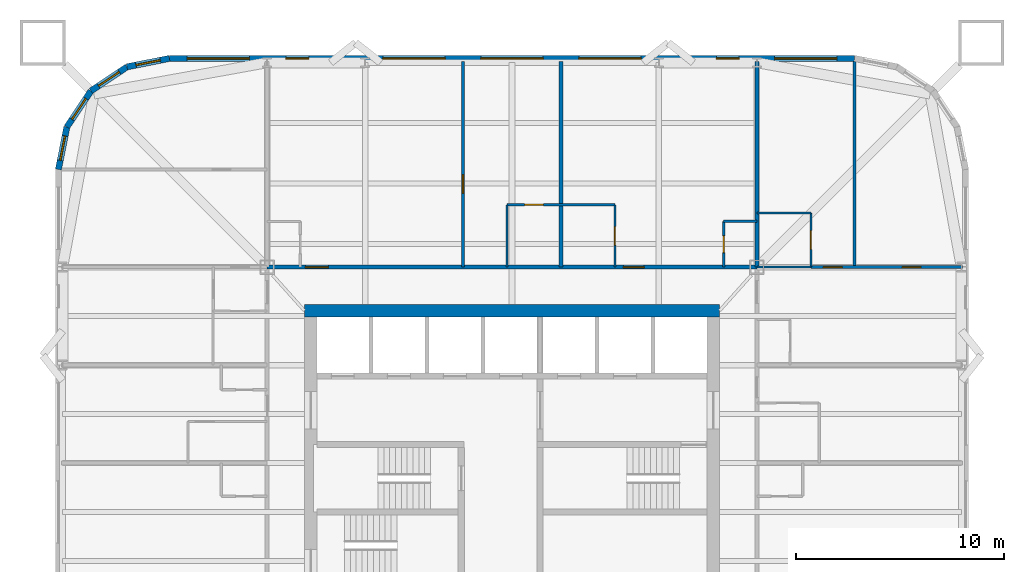
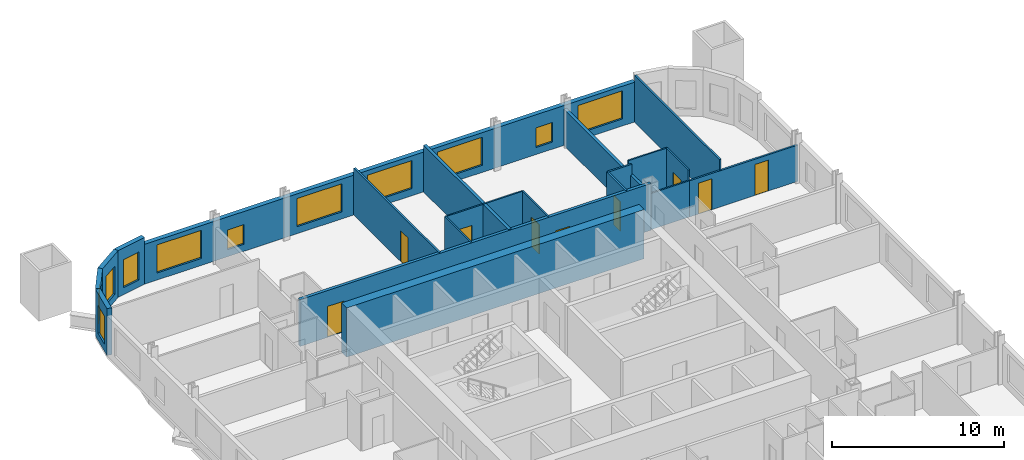
# One storey, part 7 of 9: 20 walls, 11 windows, 9 doors, 20 openings.
"""IFC4 building model written with IfcOpenShell, lengths in metres."""

import ifcopenshell
import ifcopenshell.guid

model = None  # the IFC model being written
_history = None  # IfcOwnerHistory: only IFC2X3 demands one
_inside = {}  # id of a spatial element -> (the spatial element, [elements in it])
_under = {}  # id of a project, library or spatial element -> (it, [spatial elements below it])
_declared = {}  # id of a project -> (the project, [libraries it declares])
_typed = {}  # id of a type object -> (the type object, [elements of that type])
_made_of = {}  # id of a material, layer set ... -> (it, [elements and type objects made of it])


def new_model(schema):
    """Start an empty IFC model of exactly this schema.

    Asked for "IFC4X3", IfcOpenShell would pick the latest addendum, in which some entities
    have other attributes; the version numbers below select the first issue.
    IFC2X3 requires an IfcOwnerHistory on every rooted entity: one is made here for all.
    """
    global model, _history
    if schema == "IFC4X3":
        model = ifcopenshell.file(schema_version=(4, 3, 0, 0))
    else:
        model = ifcopenshell.file(schema=schema)
    _inside.clear()
    _under.clear()
    _declared.clear()
    _typed.clear()
    _made_of.clear()
    _history = None
    if model.schema == "IFC2X3":
        org = make("IfcOrganization", Name="unknown")
        user = make(
            "IfcPersonAndOrganization",
            ThePerson=make("IfcPerson", FamilyName="unknown"),
            TheOrganization=org,
        )
        app = make(
            "IfcApplication",
            ApplicationDeveloper=org,
            Version="unknown",
            ApplicationFullName="unknown",
            ApplicationIdentifier="unknown",
        )
        _history = make(
            "IfcOwnerHistory",
            OwningUser=user,
            OwningApplication=app,
            ChangeAction="ADDED",
            CreationDate=0,
        )
    return model


def make(cls, **values):
    """One entity of the class cls with the attributes given. An attribute that is None is left unset."""
    return model.create_entity(
        cls, **{name: value for name, value in values.items() if value is not None}
    )


def rooted(cls, **values):
    """An entity with a GlobalId (a new one), such as an element, a storey or a relation."""
    return make(cls, GlobalId=ifcopenshell.guid.new(), OwnerHistory=_history, **values)


def si_unit(unit_type, name, prefix=None):
    """IfcSIUnit, for example si_unit("LENGTHUNIT", "METRE", prefix="MILLI")."""
    return make("IfcSIUnit", UnitType=unit_type, Prefix=prefix, Name=name)


def assignment(units):
    """IfcUnitAssignment: the units of a project."""
    return None if units is None else make("IfcUnitAssignment", Units=units)


def point(xyz):
    """IfcCartesianPoint."""
    return None if xyz is None else make("IfcCartesianPoint", Coordinates=xyz)


def direction(xyz):
    """IfcDirection."""
    return None if xyz is None else make("IfcDirection", DirectionRatios=xyz)


def frame(location, z_axis=None, x_axis=None):
    """IfcAxis2Placement3D, a coordinate frame: its origin and axes. An axis left out is left unset."""
    return make(
        "IfcAxis2Placement3D",
        Location=point(location),
        Axis=direction(z_axis),
        RefDirection=direction(x_axis),
    )


def frame_2d(location, x_axis=None):
    """IfcAxis2Placement2D, a coordinate frame in the plane: its origin and x axis."""
    return make(
        "IfcAxis2Placement2D", Location=point(location), RefDirection=direction(x_axis)
    )


def origin():
    """The frame at (0, 0, 0) with its axes left unset."""
    return frame((0.0, 0.0, 0.0))


def place(relative_to, where):
    """IfcLocalPlacement: puts the frame where relative to a parent placement (None: the world)."""
    return make(
        "IfcLocalPlacement", PlacementRelTo=relative_to, RelativePlacement=where
    )


def context(
    kind, dimensions, precision=None, world=None, true_north=None, identifier=None
):
    """IfcGeometricRepresentationContext, for example the 3D "Model" context."""
    return make(
        "IfcGeometricRepresentationContext",
        ContextIdentifier=identifier,
        ContextType=kind,
        CoordinateSpaceDimension=dimensions,
        Precision=precision,
        WorldCoordinateSystem=world,
        TrueNorth=true_north,
    )


def subcontext(parent, identifier, kind, view, scale=None):
    """IfcGeometricRepresentationSubContext, for example "Body" below "Model"."""
    return make(
        "IfcGeometricRepresentationSubContext",
        ContextIdentifier=identifier,
        ContextType=kind,
        ParentContext=parent,
        TargetScale=scale,
        TargetView=view,
    )


def project(units=None, contexts=None):
    """IfcProject with its units and contexts."""
    return rooted(
        "IfcProject",
        Name="project",
        RepresentationContexts=contexts,
        UnitsInContext=assignment(units),
    )


def spatial(cls, under=None, at=None, **own):
    """A site, building, storey or space (cls), placed at a placement, below another one or the project."""
    s = rooted(cls, ObjectPlacement=at, **own)
    if under is not None:
        _under.setdefault(under.id(), (under, []))[1].append(s)
    return s


def profile(cls, at=None, kind="AREA", **sizes):
    """A parametric profile (cls). Its sizes go by their IFC names, for example OverallWidth=200.0."""
    return make(cls, ProfileType=kind, Position=at, **sizes)


def rectangle(**sizes):
    """IfcRectangleProfileDef."""
    return profile("IfcRectangleProfileDef", **sizes)


def extrude(swept, where, along, depth):
    """IfcExtrudedAreaSolid: the profile swept, set in the frame where, extruded along a direction by depth."""
    return make(
        "IfcExtrudedAreaSolid",
        SweptArea=swept,
        Position=where,
        ExtrudedDirection=direction(along),
        Depth=depth,
    )


def shape(context_of_items, identifier, shape_type, items):
    """IfcShapeRepresentation: the items that make up one representation, for example the "Body"."""
    return make(
        "IfcShapeRepresentation",
        ContextOfItems=context_of_items,
        RepresentationIdentifier=identifier,
        RepresentationType=shape_type,
        Items=items,
    )


def material(Name=None, Category=None):
    """IfcMaterial."""
    return make("IfcMaterial", Name=Name, Category=Category)


def layer(
    of_material, thickness, ventilated=None, Name=None, Category=None, Priority=None
):
    """IfcMaterialLayer: one layer of a wall or slab, of a material (None: an air gap)."""
    return make(
        "IfcMaterialLayer",
        Material=of_material,
        LayerThickness=thickness,
        IsVentilated=ventilated,
        Name=Name,
        Category=Category,
        Priority=Priority,
    )


def layer_set(layers, Name=None):
    """IfcMaterialLayerSet."""
    return make("IfcMaterialLayerSet", MaterialLayers=layers, LayerSetName=Name)


def made_of(thing, what):
    """Note that an element or type object is made of a material, layer set ...; save() writes the relation."""
    if what is not None:
        _made_of.setdefault(what.id(), (what, []))[1].append(thing)
    return thing


def type_object(cls, material=None, **own):
    """A type object (cls), such as IfcWallType, which elements share."""
    return made_of(rooted(cls, **own), material)


def element(
    cls,
    number,
    at=None,
    inside=None,
    cuts=None,
    type_object=None,
    material=None,
    context=None,
    identifier="Body",
    shape_type=None,
    held_by="IfcProductDefinitionShape",
    body=None,
    shapes=None,
    **own,
):
    """One element of the class cls, such as IfcWall. Its Tag is "e" and its number.

    at: its placement. inside: the storey or other place that contains it. cuts: it is an
    opening in that element (IfcRelVoidsElement). A single representation is given by context,
    identifier, shape_type and body (its items); several are given by shapes. held_by: the class
    of the entity that holds the representations. save() writes the other relations.
    """
    e = rooted(cls, Tag="e%d" % number, ObjectPlacement=at, **own)
    if body is not None:
        shapes = [shape(context, identifier, shape_type, body)]
    if shapes is not None:
        e.Representation = make(held_by, Representations=shapes)
    if inside is not None:
        _inside.setdefault(inside.id(), (inside, []))[1].append(e)
    if cuts is not None:
        rooted(
            "IfcRelVoidsElement", RelatingBuildingElement=cuts, RelatedOpeningElement=e
        )
    if type_object is not None:
        _typed.setdefault(type_object.id(), (type_object, []))[1].append(e)
    return made_of(e, material)


def fill(opening, filler):
    """IfcRelFillsElement: the door or window that sits in an opening."""
    return rooted(
        "IfcRelFillsElement",
        RelatingOpeningElement=opening,
        RelatedBuildingElement=filler,
    )


def aggregate(whole, parts):
    """IfcRelAggregates: a whole, such as a stair, and the parts it consists of."""
    return rooted("IfcRelAggregates", RelatingObject=whole, RelatedObjects=parts)


def save(model, path):
    """Write the relations noted so far, then the file.

    IfcRelAggregates (storeys below a building ...), IfcRelContainedInSpatialStructure (elements
    in a storey), IfcRelDefinesByType, IfcRelAssociatesMaterial and IfcRelDeclares: one each for
    every whole, place, type object, material and project.
    """
    for whole, parts in _under.values():
        aggregate(whole, parts)
    for where, things in _inside.values():
        rooted(
            "IfcRelContainedInSpatialStructure",
            RelatedElements=things,
            RelatingStructure=where,
        )
    for kind, things in _typed.values():
        rooted("IfcRelDefinesByType", RelatedObjects=things, RelatingType=kind)
    for what, things in _made_of.values():
        rooted("IfcRelAssociatesMaterial", RelatedObjects=things, RelatingMaterial=what)
    for by, libraries in _declared.values():
        rooted("IfcRelDeclares", RelatingContext=by, RelatedDefinitions=libraries)
    model.write(path)


model = new_model("IFC4")

# Units and contexts
model_context = context("Model", 3, precision=1e-05, world=origin(), true_north=direction((0.0, 1.0)))
body_context = subcontext(model_context, "Body", "Model", "MODEL_VIEW")
ifc_project = project(units=[si_unit("LENGTHUNIT", "METRE"), si_unit("AREAUNIT", "SQUARE_METRE"), si_unit("VOLUMEUNIT", "CUBIC_METRE"), si_unit("PLANEANGLEUNIT", "RADIAN"), si_unit("MASSUNIT", "GRAM", prefix="KILO")], contexts=[model_context])

# Site, building, storey
site_placement = place(None, origin())
site = spatial("IfcSite", under=ifc_project, at=site_placement, CompositionType="ELEMENT")
building_placement = place(site_placement, origin())
building = spatial("IfcBuilding", under=site, at=building_placement, Name="Turquesa Mirador Hotel Tower", CompositionType="ELEMENT")
storey_placement = place(building_placement, frame((0.0, 0.0, 67.0)))
storey = spatial("IfcBuildingStorey", under=building, at=storey_placement, Name="L17", CompositionType="ELEMENT", Elevation=67.0)

# Walls
ifc_material_1 = material(Name="Gypsum board on steel studs", Category="steel")
ifc_layer_1 = layer(ifc_material_1, 0.10009765625)
ifc_layer_set_1 = layer_set([ifc_layer_1], Name="BATHROOM WALL 100")
wall_type_1 = type_object("IfcWallType", Name="BATHROOM WALL 100", PredefinedType="PARTITIONING", material=ifc_layer_set_1)
wall_1_placement = place(storey_placement, frame((66.800048828125, 56.800048828125, 0.0), z_axis=(0.0, 0.0, 1.0), x_axis=(1.0, 0.0, 0.0)))
element("IfcWall", 1, at=wall_1_placement, inside=storey, type_object=wall_type_1, Name="Partition L17 021", PredefinedType="PARTITIONING", context=body_context, shape_type="SweptSolid", body=[
    extrude(rectangle(XDim=2.599853515625, YDim=0.10009765625, at=frame_2d((1.2998046875, 0.0))), origin(), (0.0, 0.0, 1.0), 2.572998046875),
])
wall_2_placement = place(storey_placement, frame((66.800048828125, 59.39990234375, 0.0), z_axis=(0.0, 0.0, 1.0), x_axis=(1.0, 0.0, 0.0)))
element("IfcWall", 2, at=wall_2_placement, inside=storey, type_object=wall_type_1, Name="Partition L17 027", PredefinedType="PARTITIONING", context=body_context, shape_type="SweptSolid", body=[
    extrude(rectangle(XDim=2.599853515625, YDim=0.10009765625, at=frame_2d((1.2998046875, 0.0))), origin(), (0.0, 0.0, 1.0), 3.330078125),
])

# Wall, opening, door
wall_3_placement = place(storey_placement, frame((54.760009765625, 59.800048828125, 0.0), z_axis=(0.0, 0.0, 1.0), x_axis=(1.0, 0.0, 0.0)))
wall_3 = element("IfcWall", 3, at=wall_3_placement, inside=storey, type_object=wall_type_1, Name="Partition L17 028", PredefinedType="PARTITIONING", context=body_context, shape_type="SweptSolid", body=[
    extrude(rectangle(XDim=5.199951171875, YDim=0.10009765625, at=frame_2d((2.60009765625, 0.0))), origin(), (0.0, 0.0, 1.0), 3.330078125),
])
opening_1_placement = place(wall_3_placement, frame((0.85009765625, 0.0, 0.0)))
opening_1 = element("IfcOpeningElement", 4, at=opening_1_placement, cuts=wall_3, Name="Opening D02", PredefinedType="OPENING", context=body_context, shape_type="SweptSolid", body=[
    extrude(rectangle(XDim=0.89990234375, YDim=2.10009765625, at=frame_2d((0.449951171875, 1.050048828125))), frame((0.0, 0.06005859375, 0.0), z_axis=(0.0, -1.0, 0.0), x_axis=(1.0, 0.0, 0.0)), (0.0, 0.0, 1.0), 0.1201171875),
])
ifc_material_2 = material(Name="Timber veneered door", Category="wood")
door_type_1 = type_object("IfcDoorType", Name="DOOR 900X2100 EN-SUITE", OperationType="SINGLE_SWING_RIGHT", PredefinedType="DOOR", material=ifc_material_2)
door_1_placement = place(opening_1_placement, origin())
door_1 = element("IfcDoor", 5, at=door_1_placement, inside=storey, type_object=door_type_1, Name="Door 1701B", OperationType="SINGLE_SWING_RIGHT", OverallHeight=2.10009765625, OverallWidth=0.89990234375, PredefinedType="DOOR", context=body_context, shape_type="SweptSolid", body=[
    extrude(rectangle(XDim=0.89990234375, YDim=2.10009765625, at=frame_2d((0.449951171875, 1.050048828125))), frame((0.0, 0.02490234375, 0.0), z_axis=(0.0, -1.0, 0.0), x_axis=(1.0, 0.0, 0.0)), (0.0, 0.0, 1.0), 0.050048828125),
])
fill(opening_1, door_1)

# Wall
wall_4_placement = place(storey_placement, frame((54.760009765625, 56.800048828125, 0.0), z_axis=(0.0, 0.0, 1.0), x_axis=(0.0, 1.0, 0.0)))
element("IfcWall", 6, at=wall_4_placement, inside=storey, type_object=wall_type_1, Name="Partition L17 039", PredefinedType="PARTITIONING", context=body_context, shape_type="SweptSolid", body=[
    extrude(rectangle(XDim=3.0, YDim=0.10009765625, at=frame_2d((1.5, 0.0))), origin(), (0.0, 0.0, 1.0), 3.330078125),
])

# Wall, opening, door
wall_5_placement = place(storey_placement, frame((69.39990234375, 56.800048828125, 0.0), z_axis=(0.0, 0.0, 1.0), x_axis=(0.0, 1.0, 0.0)))
wall_5 = element("IfcWall", 7, at=wall_5_placement, inside=storey, type_object=wall_type_1, Name="Partition L17 065", PredefinedType="PARTITIONING", context=body_context, shape_type="SweptSolid", body=[
    extrude(rectangle(XDim=2.599853515625, YDim=0.10009765625, at=frame_2d((1.2998046875, 0.0))), origin(), (0.0, 0.0, 1.0), 3.330078125),
])
opening_2_placement = place(wall_5_placement, frame((0.85009765625, 0.0, 0.0)))
opening_2 = element("IfcOpeningElement", 8, at=opening_2_placement, cuts=wall_5, Name="Opening D02", PredefinedType="OPENING", context=body_context, shape_type="SweptSolid", body=[
    extrude(rectangle(XDim=0.89990234375, YDim=2.10009765625, at=frame_2d((0.449951171875, 1.050048828125))), frame((0.0, 0.06005859375, 0.0), z_axis=(0.0, -1.0, 0.0), x_axis=(1.0, 0.0, 0.0)), (0.0, 0.0, 1.0), 0.1201171875),
])
door_2_placement = place(opening_2_placement, origin())
door_2 = element("IfcDoor", 9, at=door_2_placement, inside=storey, type_object=door_type_1, Name="Door 1710B", OperationType="SINGLE_SWING_RIGHT", OverallHeight=2.10009765625, OverallWidth=0.89990234375, PredefinedType="DOOR", context=body_context, shape_type="SweptSolid", body=[
    extrude(rectangle(XDim=0.89990234375, YDim=2.10009765625, at=frame_2d((0.449951171875, 1.050048828125))), frame((0.0, 0.02490234375, 0.0), z_axis=(0.0, -1.0, 0.0), x_axis=(1.0, 0.0, 0.0)), (0.0, 0.0, 1.0), 0.050048828125),
])
fill(opening_2, door_2)

wall_6_placement = place(storey_placement, frame((59.9599609375, 56.800048828125, 0.0), z_axis=(0.0, 0.0, 1.0), x_axis=(0.0, 1.0, 0.0)))
wall_6 = element("IfcWall", 10, at=wall_6_placement, inside=storey, type_object=wall_type_1, Name="Partition L17 071", PredefinedType="PARTITIONING", context=body_context, shape_type="SweptSolid", body=[
    extrude(rectangle(XDim=3.0, YDim=0.10009765625, at=frame_2d((1.5, 0.0))), origin(), (0.0, 0.0, 1.0), 3.330078125),
])
opening_3_placement = place(wall_6_placement, frame((1.050048828125, 0.0, 0.0)))
opening_3 = element("IfcOpeningElement", 11, at=opening_3_placement, cuts=wall_6, Name="Opening D02", PredefinedType="OPENING", context=body_context, shape_type="SweptSolid", body=[
    extrude(rectangle(XDim=0.89990234375, YDim=2.10009765625, at=frame_2d((0.449951171875, 1.050048828125))), frame((0.0, 0.06005859375, 0.0), z_axis=(0.0, -1.0, 0.0), x_axis=(1.0, 0.0, 0.0)), (0.0, 0.0, 1.0), 0.1201171875),
])
door_3_placement = place(opening_3_placement, origin())
door_3 = element("IfcDoor", 12, at=door_3_placement, inside=storey, type_object=door_type_1, Name="Door 1702B", OperationType="SINGLE_SWING_RIGHT", OverallHeight=2.10009765625, OverallWidth=0.89990234375, PredefinedType="DOOR", context=body_context, shape_type="SweptSolid", body=[
    extrude(rectangle(XDim=0.89990234375, YDim=2.10009765625, at=frame_2d((0.449951171875, 1.050048828125))), frame((0.0, 0.02490234375, 0.0), z_axis=(0.0, -1.0, 0.0), x_axis=(1.0, 0.0, 0.0)), (0.0, 0.0, 1.0), 0.050048828125),
])
fill(opening_3, door_3)

# Wall
ifc_material_3 = material(Name="Concrete C50/60", Category="concrete")
ifc_layer_2 = layer(ifc_material_3, 0.60009765625)
ifc_layer_set_2 = layer_set([ifc_layer_2], Name="CORE WALL 600")
wall_type_2 = type_object("IfcWallType", Name="CORE WALL 600", PredefinedType="SHEAR", material=ifc_layer_set_2)
wall_7_placement = place(storey_placement, frame((45.0, 54.699951171875, 0.0), z_axis=(0.0, 0.0, 1.0), x_axis=(1.0, 0.0, 0.0)))
element("IfcWall", 13, at=wall_7_placement, inside=storey, type_object=wall_type_2, Name="Core wall N", PredefinedType="SHEAR", context=body_context, shape_type="SweptSolid", body=[
    extrude(rectangle(XDim=20.0, YDim=0.60009765625, at=frame_2d((10.0, 0.0))), origin(), (0.0, 0.0, 1.0), 3.5),
])

# Wall, openings, doors
ifc_material_4 = material(Name="Fire-rated gypsum board on steel studs", Category="steel")
ifc_layer_3 = layer(ifc_material_4, 0.199951171875)
ifc_layer_set_3 = layer_set([ifc_layer_3], Name="CORRIDOR WALL 200")
wall_type_3 = type_object("IfcWallType", Name="CORRIDOR WALL 200", PredefinedType="PARTITIONING", material=ifc_layer_set_3)
wall_8_placement = place(storey_placement, frame((43.199951171875, 56.800048828125, 0.0), z_axis=(0.0, 0.0, 1.0), x_axis=(1.0, 0.0, 0.0)))
wall_8 = element("IfcWall", 14, at=wall_8_placement, inside=storey, type_object=wall_type_3, Name="Partition L17 022", PredefinedType="PARTITIONING", context=body_context, shape_type="SweptSolid", body=[
    extrude(rectangle(XDim=23.60009765625, YDim=0.199951171875, at=frame_2d((11.800048828125, 0.0))), origin(), (0.0, 0.0, 1.0), 3.330078125),
])
opening_4_placement = place(wall_8_placement, frame((1.85009765625, 0.0, 0.0)))
opening_4 = element("IfcOpeningElement", 15, at=opening_4_placement, cuts=wall_8, Name="Opening D15", PredefinedType="OPENING", context=body_context, shape_type="SweptSolid", body=[
    extrude(rectangle(XDim=1.10009765625, YDim=2.199951171875, at=frame_2d((0.550048828125, 1.10009765625))), frame((0.0, 0.10986328125, 0.0), z_axis=(0.0, -1.0, 0.0), x_axis=(1.0, 0.0, 0.0)), (0.0, 0.0, 1.0), 0.219970703125),
])
opening_5_placement = place(wall_8_placement, frame((17.159912109375, 0.0, 0.0)))
opening_5 = element("IfcOpeningElement", 16, at=opening_5_placement, cuts=wall_8, Name="Opening D01", PredefinedType="OPENING", context=body_context, shape_type="SweptSolid", body=[
    extrude(rectangle(XDim=1.0, YDim=2.199951171875, at=frame_2d((0.5, 1.10009765625))), frame((0.0, 0.10986328125, 0.0), z_axis=(0.0, -1.0, 0.0), x_axis=(1.0, 0.0, 0.0)), (0.0, 0.0, 1.0), 0.219970703125),
])
ifc_material_5 = material(Name="Timber veneered fire door", Category="wood")
door_type_2 = type_object("IfcDoorType", Name="DOOR 1000X2200 GUEST ENTRY", OperationType="SINGLE_SWING_LEFT", PredefinedType="DOOR", material=ifc_material_5)
door_4_placement = place(opening_5_placement, origin())
door_4 = element("IfcDoor", 17, at=door_4_placement, inside=storey, type_object=door_type_2, Name="Door 1702", OperationType="SINGLE_SWING_LEFT", OverallHeight=2.199951171875, OverallWidth=1.0, PredefinedType="DOOR", context=body_context, shape_type="SweptSolid", body=[
    extrude(rectangle(XDim=1.0, YDim=2.199951171875, at=frame_2d((0.5, 1.10009765625))), frame((0.0, 0.02490234375, 0.0), z_axis=(0.0, -1.0, 0.0), x_axis=(1.0, 0.0, 0.0)), (0.0, 0.0, 1.0), 0.050048828125),
])
fill(opening_5, door_4)
ifc_material_6 = material(Name="Timber veneered fire door", Category="wood")
door_type_3 = type_object("IfcDoorType", Name="DOOR 1100X2200 SUITE ENTRY", OperationType="SINGLE_SWING_LEFT", PredefinedType="DOOR", material=ifc_material_6)
door_5_placement = place(opening_4_placement, origin())
door_5 = element("IfcDoor", 18, at=door_5_placement, inside=storey, type_object=door_type_3, Name="Door 1701", OperationType="SINGLE_SWING_LEFT", OverallHeight=2.199951171875, OverallWidth=1.10009765625, PredefinedType="DOOR", context=body_context, shape_type="SweptSolid", body=[
    extrude(rectangle(XDim=1.10009765625, YDim=2.199951171875, at=frame_2d((0.550048828125, 1.10009765625))), frame((0.0, 0.02490234375, 0.0), z_axis=(0.0, -1.0, 0.0), x_axis=(1.0, 0.0, 0.0)), (0.0, 0.0, 1.0), 0.050048828125),
])
fill(opening_4, door_5)

# Wall, openings, windows
ifc_material_7 = material(Name="Limestone cladding on concrete block", Category="masonry")
ifc_layer_4 = layer(ifc_material_7, 0.300048828125)
ifc_layer_set_4 = layer_set([ifc_layer_4], Name="FACADE WALL 300 STONE SCREEN")
wall_type_4 = type_object("IfcWallType", Name="FACADE WALL 300 STONE SCREEN", PredefinedType="SOLIDWALL", material=ifc_layer_set_4)
wall_9_placement = place(storey_placement, frame((71.5, 66.85009765625, 0.0), z_axis=(0.0, 0.0, 1.0), x_axis=(-1.0, 0.0, 0.0)))
wall_9 = element("IfcWall", 19, at=wall_9_placement, inside=storey, type_object=wall_type_4, Name="Facade wall L17 09", PredefinedType="SOLIDWALL", context=body_context, shape_type="SweptSolid", body=[
    extrude(rectangle(XDim=33.0, YDim=0.300048828125, at=frame_2d((16.5, 0.0))), origin(), (0.0, 0.0, 1.0), 2.830078125),
])
opening_6_placement = place(wall_9_placement, frame((0.85009765625, 0.0, 0.5)))
opening_6 = element("IfcOpeningElement", 20, at=opening_6_placement, cuts=wall_9, Name="Opening WN1", PredefinedType="OPENING", context=body_context, shape_type="SweptSolid", body=[
    extrude(rectangle(XDim=3.0, YDim=2.0, at=frame_2d((1.5, 1.0))), frame((0.0, 0.159912109375, 0.0), z_axis=(0.0, -1.0, 0.0), x_axis=(1.0, 0.0, 0.0)), (0.0, 0.0, 1.0), 0.320068359375),
])
opening_7_placement = place(wall_9_placement, frame((5.56005859375, 0.0, 0.5)))
opening_7 = element("IfcOpeningElement", 21, at=opening_7_placement, cuts=wall_9, Name="Opening WN37", PredefinedType="OPENING", context=body_context, shape_type="SweptSolid", body=[
    extrude(rectangle(XDim=1.10009765625, YDim=1.39990234375, at=frame_2d((0.550048828125, 0.699951171875))), frame((0.0, 0.159912109375, 0.0), z_axis=(0.0, -1.0, 0.0), x_axis=(1.0, 0.0, 0.0)), (0.0, 0.0, 1.0), 0.320068359375),
])
opening_8_placement = place(wall_9_placement, frame((10.280029296875, 0.0, 0.5)))
opening_8 = element("IfcOpeningElement", 22, at=opening_8_placement, cuts=wall_9, Name="Opening WN1", PredefinedType="OPENING", context=body_context, shape_type="SweptSolid", body=[
    extrude(rectangle(XDim=3.0, YDim=2.0, at=frame_2d((1.5, 1.0))), frame((0.0, 0.159912109375, 0.0), z_axis=(0.0, -1.0, 0.0), x_axis=(1.0, 0.0, 0.0)), (0.0, 0.0, 1.0), 0.320068359375),
])
opening_9_placement = place(wall_9_placement, frame((15.0, 0.0, 0.5)))
opening_9 = element("IfcOpeningElement", 23, at=opening_9_placement, cuts=wall_9, Name="Opening WN1", PredefinedType="OPENING", context=body_context, shape_type="SweptSolid", body=[
    extrude(rectangle(XDim=3.0, YDim=2.0, at=frame_2d((1.5, 1.0))), frame((0.0, 0.159912109375, 0.0), z_axis=(0.0, -1.0, 0.0), x_axis=(1.0, 0.0, 0.0)), (0.0, 0.0, 1.0), 0.320068359375),
])
opening_10_placement = place(wall_9_placement, frame((19.719970703125, 0.0, 0.5)))
opening_10 = element("IfcOpeningElement", 24, at=opening_10_placement, cuts=wall_9, Name="Opening WN1", PredefinedType="OPENING", context=body_context, shape_type="SweptSolid", body=[
    extrude(rectangle(XDim=3.0, YDim=2.0, at=frame_2d((1.5, 1.0))), frame((0.0, 0.159912109375, 0.0), z_axis=(0.0, -1.0, 0.0), x_axis=(1.0, 0.0, 0.0)), (0.0, 0.0, 1.0), 0.320068359375),
])
opening_11_placement = place(wall_9_placement, frame((26.2900390625, 0.0, 0.5)))
opening_11 = element("IfcOpeningElement", 25, at=opening_11_placement, cuts=wall_9, Name="Opening WN37", PredefinedType="OPENING", context=body_context, shape_type="SweptSolid", body=[
    extrude(rectangle(XDim=1.10009765625, YDim=1.39990234375, at=frame_2d((0.550048828125, 0.699951171875))), frame((0.0, 0.159912109375, 0.0), z_axis=(0.0, -1.0, 0.0), x_axis=(1.0, 0.0, 0.0)), (0.0, 0.0, 1.0), 0.320068359375),
])
opening_12_placement = place(wall_9_placement, frame((29.14990234375, 0.0, 0.5)))
opening_12 = element("IfcOpeningElement", 26, at=opening_12_placement, cuts=wall_9, Name="Opening WN1", PredefinedType="OPENING", context=body_context, shape_type="SweptSolid", body=[
    extrude(rectangle(XDim=3.0, YDim=2.0, at=frame_2d((1.5, 1.0))), frame((0.0, 0.159912109375, 0.0), z_axis=(0.0, -1.0, 0.0), x_axis=(1.0, 0.0, 0.0)), (0.0, 0.0, 1.0), 0.320068359375),
])
ifc_material_8 = material(Name="Ceramic-fritted laminated glass", Category="glass")
window_type_1 = type_object("IfcWindowType", Name="FRITTED WINDOW 1100X1400", PartitioningType="DOUBLE_PANEL_HORIZONTAL", PredefinedType="WINDOW", material=ifc_material_8)
window_1_placement = place(opening_7_placement, origin())
window_1 = element("IfcWindow", 27, at=window_1_placement, inside=storey, type_object=window_type_1, Name="Window L17", OverallHeight=1.39990234375, OverallWidth=1.10009765625, PartitioningType="SINGLE_PANEL", PredefinedType="WINDOW", context=body_context, shape_type="SweptSolid", body=[
    extrude(rectangle(XDim=1.10009765625, YDim=1.39990234375, at=frame_2d((0.550048828125, 0.699951171875))), frame((0.0, 0.030029296875, 0.0), z_axis=(0.0, -1.0, 0.0), x_axis=(1.0, 0.0, 0.0)), (0.0, 0.0, 1.0), 0.06005859375),
])
fill(opening_7, window_1)
window_2_placement = place(opening_11_placement, origin())
window_2 = element("IfcWindow", 28, at=window_2_placement, inside=storey, type_object=window_type_1, Name="Window L17", OverallHeight=1.39990234375, OverallWidth=1.10009765625, PartitioningType="SINGLE_PANEL", PredefinedType="WINDOW", context=body_context, shape_type="SweptSolid", body=[
    extrude(rectangle(XDim=1.10009765625, YDim=1.39990234375, at=frame_2d((0.550048828125, 0.699951171875))), frame((0.0, 0.030029296875, 0.0), z_axis=(0.0, -1.0, 0.0), x_axis=(1.0, 0.0, 0.0)), (0.0, 0.0, 1.0), 0.06005859375),
])
fill(opening_11, window_2)
ifc_material_9 = material(Name="Ceramic-fritted laminated glass", Category="glass")
window_type_2 = type_object("IfcWindowType", Name="FRITTED WINDOW 3000X2000", PartitioningType="DOUBLE_PANEL_HORIZONTAL", PredefinedType="WINDOW", material=ifc_material_9)
window_3_placement = place(opening_6_placement, origin())
window_3 = element("IfcWindow", 29, at=window_3_placement, inside=storey, type_object=window_type_2, Name="Window L17", OverallHeight=2.0, OverallWidth=3.0, PartitioningType="SINGLE_PANEL", PredefinedType="WINDOW", context=body_context, shape_type="SweptSolid", body=[
    extrude(rectangle(XDim=3.0, YDim=2.0, at=frame_2d((1.5, 1.0))), frame((0.0, 0.030029296875, 0.0), z_axis=(0.0, -1.0, 0.0), x_axis=(1.0, 0.0, 0.0)), (0.0, 0.0, 1.0), 0.06005859375),
])
fill(opening_6, window_3)
window_4_placement = place(opening_8_placement, origin())
window_4 = element("IfcWindow", 30, at=window_4_placement, inside=storey, type_object=window_type_2, Name="Window L17", OverallHeight=2.0, OverallWidth=3.0, PartitioningType="SINGLE_PANEL", PredefinedType="WINDOW", context=body_context, shape_type="SweptSolid", body=[
    extrude(rectangle(XDim=3.0, YDim=2.0, at=frame_2d((1.5, 1.0))), frame((0.0, 0.030029296875, 0.0), z_axis=(0.0, -1.0, 0.0), x_axis=(1.0, 0.0, 0.0)), (0.0, 0.0, 1.0), 0.06005859375),
])
fill(opening_8, window_4)
window_5_placement = place(opening_9_placement, origin())
window_5 = element("IfcWindow", 31, at=window_5_placement, inside=storey, type_object=window_type_2, Name="Window L17", OverallHeight=2.0, OverallWidth=3.0, PartitioningType="SINGLE_PANEL", PredefinedType="WINDOW", context=body_context, shape_type="SweptSolid", body=[
    extrude(rectangle(XDim=3.0, YDim=2.0, at=frame_2d((1.5, 1.0))), frame((0.0, 0.030029296875, 0.0), z_axis=(0.0, -1.0, 0.0), x_axis=(1.0, 0.0, 0.0)), (0.0, 0.0, 1.0), 0.06005859375),
])
fill(opening_9, window_5)
window_6_placement = place(opening_10_placement, origin())
window_6 = element("IfcWindow", 32, at=window_6_placement, inside=storey, type_object=window_type_2, Name="Window L17", OverallHeight=2.0, OverallWidth=3.0, PartitioningType="SINGLE_PANEL", PredefinedType="WINDOW", context=body_context, shape_type="SweptSolid", body=[
    extrude(rectangle(XDim=3.0, YDim=2.0, at=frame_2d((1.5, 1.0))), frame((0.0, 0.030029296875, 0.0), z_axis=(0.0, -1.0, 0.0), x_axis=(1.0, 0.0, 0.0)), (0.0, 0.0, 1.0), 0.06005859375),
])
fill(opening_10, window_6)
window_7_placement = place(opening_12_placement, origin())
window_7 = element("IfcWindow", 33, at=window_7_placement, inside=storey, type_object=window_type_2, Name="Window L17", OverallHeight=2.0, OverallWidth=3.0, PartitioningType="SINGLE_PANEL", PredefinedType="WINDOW", context=body_context, shape_type="SweptSolid", body=[
    extrude(rectangle(XDim=3.0, YDim=2.0, at=frame_2d((1.5, 1.0))), frame((0.0, 0.030029296875, 0.0), z_axis=(0.0, -1.0, 0.0), x_axis=(1.0, 0.0, 0.0)), (0.0, 0.0, 1.0), 0.06005859375),
])
fill(opening_12, window_7)

# Wall, opening, window
wall_10_placement = place(storey_placement, frame((38.5, 66.85009765625, 0.0), z_axis=(0.0, 0.0, 1.0), x_axis=(-0.980787050784, -0.195081421501, 0.0)))
wall_10 = element("IfcWall", 34, at=wall_10_placement, inside=storey, type_object=wall_type_4, Name="Facade wall L17 10", PredefinedType="SOLIDWALL", context=body_context, shape_type="SweptSolid", body=[
    extrude(rectangle(XDim=2.08740234375, YDim=0.300048828125, at=frame_2d((1.043701171875, 0.0))), origin(), (0.0, 0.0, 1.0), 3.330078125),
])
opening_13_placement = place(wall_10_placement, frame((0.443603515625, 0.0, 0.5)))
opening_13 = element("IfcOpeningElement", 35, at=opening_13_placement, cuts=wall_10, Name="Opening WN4", PredefinedType="OPENING", context=body_context, shape_type="SweptSolid", body=[
    extrude(rectangle(XDim=1.199951171875, YDim=2.0, at=frame_2d((0.60009765625, 1.0))), frame((0.0, 0.159912109375, 0.0), z_axis=(0.0, -1.0, 0.0), x_axis=(1.0, 0.0, 0.0)), (0.0, 0.0, 1.0), 0.320068359375),
])
ifc_material_10 = material(Name="Ceramic-fritted laminated glass", Category="glass")
window_type_3 = type_object("IfcWindowType", Name="FRITTED CORNER WINDOW 1200X2000", PartitioningType="DOUBLE_PANEL_HORIZONTAL", PredefinedType="WINDOW", material=ifc_material_10)
window_8_placement = place(opening_13_placement, origin())
window_8 = element("IfcWindow", 36, at=window_8_placement, inside=storey, type_object=window_type_3, Name="Window L17", OverallHeight=2.0, OverallWidth=1.199951171875, PartitioningType="SINGLE_PANEL", PredefinedType="WINDOW", context=body_context, shape_type="SweptSolid", body=[
    extrude(rectangle(XDim=1.199951171875, YDim=2.0, at=frame_2d((0.60009765625, 1.0))), frame((0.0, 0.030029296875, 0.0), z_axis=(0.0, -1.0, 0.0), x_axis=(1.0, 0.0, 0.0)), (0.0, 0.0, 1.0), 0.06005859375),
])
fill(opening_13, window_8)

wall_11_placement = place(storey_placement, frame((36.45263671875, 66.44287109375, 0.0), z_axis=(0.0, 0.0, 1.0), x_axis=(-0.831420010345, -0.555644460423, 0.0)))
wall_11 = element("IfcWall", 37, at=wall_11_placement, inside=storey, type_object=wall_type_4, Name="Facade wall L17 11", PredefinedType="SOLIDWALL", context=body_context, shape_type="SweptSolid", body=[
    extrude(rectangle(XDim=2.08740234375, YDim=0.300048828125, at=frame_2d((1.043701171875, 0.0))), origin(), (0.0, 0.0, 1.0), 3.330078125),
])
opening_14_placement = place(wall_11_placement, frame((0.443603515625, 0.0, 0.5)))
opening_14 = element("IfcOpeningElement", 38, at=opening_14_placement, cuts=wall_11, Name="Opening WN4", PredefinedType="OPENING", context=body_context, shape_type="SweptSolid", body=[
    extrude(rectangle(XDim=1.199951171875, YDim=2.0, at=frame_2d((0.60009765625, 1.0))), frame((0.0, 0.159912109375, 0.0), z_axis=(0.0, -1.0, 0.0), x_axis=(1.0, 0.0, 0.0)), (0.0, 0.0, 1.0), 0.320068359375),
])
window_9_placement = place(opening_14_placement, origin())
window_9 = element("IfcWindow", 39, at=window_9_placement, inside=storey, type_object=window_type_3, Name="Window L17", OverallHeight=2.0, OverallWidth=1.199951171875, PartitioningType="SINGLE_PANEL", PredefinedType="WINDOW", context=body_context, shape_type="SweptSolid", body=[
    extrude(rectangle(XDim=1.199951171875, YDim=2.0, at=frame_2d((0.60009765625, 1.0))), frame((0.0, 0.030029296875, 0.0), z_axis=(0.0, -1.0, 0.0), x_axis=(1.0, 0.0, 0.0)), (0.0, 0.0, 1.0), 0.06005859375),
])
fill(opening_14, window_9)

wall_12_placement = place(storey_placement, frame((34.717041015625, 65.282958984375, 0.0), z_axis=(0.0, 0.0, 1.0), x_axis=(-0.555644460423, -0.831420010345, 0.0)))
wall_12 = element("IfcWall", 40, at=wall_12_placement, inside=storey, type_object=wall_type_4, Name="Facade wall L17 12", PredefinedType="SOLIDWALL", context=body_context, shape_type="SweptSolid", body=[
    extrude(rectangle(XDim=2.08740234375, YDim=0.300048828125, at=frame_2d((1.043701171875, 0.0))), origin(), (0.0, 0.0, 1.0), 3.330078125),
])
opening_15_placement = place(wall_12_placement, frame((0.443603515625, 0.0, 0.5)))
opening_15 = element("IfcOpeningElement", 41, at=opening_15_placement, cuts=wall_12, Name="Opening WN4", PredefinedType="OPENING", context=body_context, shape_type="SweptSolid", body=[
    extrude(rectangle(XDim=1.199951171875, YDim=2.0, at=frame_2d((0.60009765625, 1.0))), frame((0.0, 0.159912109375, 0.0), z_axis=(0.0, -1.0, 0.0), x_axis=(1.0, 0.0, 0.0)), (0.0, 0.0, 1.0), 0.320068359375),
])
window_10_placement = place(opening_15_placement, origin())
window_10 = element("IfcWindow", 42, at=window_10_placement, inside=storey, type_object=window_type_3, Name="Window L17", OverallHeight=2.0, OverallWidth=1.199951171875, PartitioningType="SINGLE_PANEL", PredefinedType="WINDOW", context=body_context, shape_type="SweptSolid", body=[
    extrude(rectangle(XDim=1.199951171875, YDim=2.0, at=frame_2d((0.60009765625, 1.0))), frame((0.0, 0.030029296875, 0.0), z_axis=(0.0, -1.0, 0.0), x_axis=(1.0, 0.0, 0.0)), (0.0, 0.0, 1.0), 0.06005859375),
])
fill(opening_15, window_10)

wall_13_placement = place(storey_placement, frame((33.55712890625, 63.54736328125, 0.0), z_axis=(0.0, 0.0, 1.0), x_axis=(-0.195081421501, -0.980787050784, 0.0)))
wall_13 = element("IfcWall", 43, at=wall_13_placement, inside=storey, type_object=wall_type_4, Name="Facade wall L17 13", PredefinedType="SOLIDWALL", context=body_context, shape_type="SweptSolid", body=[
    extrude(rectangle(XDim=2.08740234375, YDim=0.300048828125, at=frame_2d((1.043701171875, 0.0))), origin(), (0.0, 0.0, 1.0), 3.330078125),
])
opening_16_placement = place(wall_13_placement, frame((0.443603515625, 0.0, 0.5)))
opening_16 = element("IfcOpeningElement", 44, at=opening_16_placement, cuts=wall_13, Name="Opening WN4", PredefinedType="OPENING", context=body_context, shape_type="SweptSolid", body=[
    extrude(rectangle(XDim=1.199951171875, YDim=2.0, at=frame_2d((0.60009765625, 1.0))), frame((0.0, 0.159912109375, 0.0), z_axis=(0.0, -1.0, 0.0), x_axis=(1.0, 0.0, 0.0)), (0.0, 0.0, 1.0), 0.320068359375),
])
window_11_placement = place(opening_16_placement, origin())
window_11 = element("IfcWindow", 45, at=window_11_placement, inside=storey, type_object=window_type_3, Name="Window L17", OverallHeight=2.0, OverallWidth=1.199951171875, PartitioningType="SINGLE_PANEL", PredefinedType="WINDOW", context=body_context, shape_type="SweptSolid", body=[
    extrude(rectangle(XDim=1.199951171875, YDim=2.0, at=frame_2d((0.60009765625, 1.0))), frame((0.0, 0.030029296875, 0.0), z_axis=(0.0, -1.0, 0.0), x_axis=(1.0, 0.0, 0.0)), (0.0, 0.0, 1.0), 0.06005859375),
])
fill(opening_16, window_11)

# Walls
ifc_material_11 = material(Name="Fire-rated gypsum board on steel studs", Category="steel")
ifc_layer_5 = layer(ifc_material_11, 0.199951171875)
ifc_layer_set_5 = layer_set([ifc_layer_5], Name="PARTY WALL 200")
wall_type_5 = type_object("IfcWallType", Name="PARTY WALL 200", PredefinedType="PARTITIONING", material=ifc_layer_set_5)
wall_14_placement = place(storey_placement, frame((66.800048828125, 56.800048828125, 0.0), z_axis=(0.0, 0.0, 1.0), x_axis=(0.0, 1.0, 0.0)))
element("IfcWall", 46, at=wall_14_placement, inside=storey, type_object=wall_type_5, Name="Partition L17 060", PredefinedType="PARTITIONING", context=body_context, shape_type="SweptSolid", body=[
    extrude(rectangle(XDim=9.89990234375, YDim=0.199951171875, at=frame_2d((4.949951171875, 0.0))), origin(), (0.0, 0.0, 1.0), 2.572998046875),
])
wall_15_placement = place(storey_placement, frame((57.360107421875, 56.800048828125, 0.0), z_axis=(0.0, 0.0, 1.0), x_axis=(0.0, 1.0, 0.0)))
element("IfcWall", 47, at=wall_15_placement, inside=storey, type_object=wall_type_5, Name="Partition L17 070", PredefinedType="PARTITIONING", context=body_context, shape_type="SweptSolid", body=[
    extrude(rectangle(XDim=9.89990234375, YDim=0.199951171875, at=frame_2d((4.949951171875, 0.0))), origin(), (0.0, 0.0, 1.0), 3.330078125),
])

# Wall, openings, doors
ifc_material_12 = material(Name="Acoustic gypsum board on steel studs", Category="steel")
ifc_layer_6 = layer(ifc_material_12, 0.125)
ifc_layer_set_6 = layer_set([ifc_layer_6], Name="SUITE PARTITION 125")
wall_type_6 = type_object("IfcWallType", Name="SUITE PARTITION 125", PredefinedType="PARTITIONING", material=ifc_layer_set_6)
wall_16_placement = place(storey_placement, frame((69.39990234375, 56.800048828125, 0.0), z_axis=(0.0, 0.0, 1.0), x_axis=(1.0, 0.0, 0.0)))
wall_16 = element("IfcWall", 48, at=wall_16_placement, inside=storey, type_object=wall_type_6, Name="Partition L17 024", PredefinedType="PARTITIONING", context=body_context, shape_type="SweptSolid", body=[
    extrude(rectangle(XDim=7.300048828125, YDim=0.125, at=frame_2d((3.64990234375, 0.0))), origin(), (0.0, 0.0, 1.0), 2.572998046875),
])
opening_17_placement = place(wall_16_placement, frame((0.60009765625, 0.0, 0.0)))
opening_17 = element("IfcOpeningElement", 49, at=opening_17_placement, cuts=wall_16, Name="Opening D17", PredefinedType="OPENING", context=body_context, shape_type="SweptSolid", body=[
    extrude(rectangle(XDim=0.89990234375, YDim=2.199951171875, at=frame_2d((0.449951171875, 1.10009765625))), frame((0.0, 0.072509765625, 0.0), z_axis=(0.0, -1.0, 0.0), x_axis=(1.0, 0.0, 0.0)), (0.0, 0.0, 1.0), 0.14501953125),
])
opening_18_placement = place(wall_16_placement, frame((4.39990234375, 0.0, 0.0)))
opening_18 = element("IfcOpeningElement", 50, at=opening_18_placement, cuts=wall_16, Name="Opening D17", PredefinedType="OPENING", context=body_context, shape_type="SweptSolid", body=[
    extrude(rectangle(XDim=0.89990234375, YDim=2.199951171875, at=frame_2d((0.449951171875, 1.10009765625))), frame((0.0, 0.072509765625, 0.0), z_axis=(0.0, -1.0, 0.0), x_axis=(1.0, 0.0, 0.0)), (0.0, 0.0, 1.0), 0.14501953125),
])
ifc_material_13 = material(Name="Timber veneered door", Category="wood")
door_type_4 = type_object("IfcDoorType", Name="DOOR 900X2200 SUITE INTERNAL", OperationType="SINGLE_SWING_LEFT", PredefinedType="DOOR", material=ifc_material_13)
door_6_placement = place(opening_17_placement, origin())
door_6 = element("IfcDoor", 51, at=door_6_placement, inside=storey, type_object=door_type_4, Name="Door 1710R", OperationType="SINGLE_SWING_LEFT", OverallHeight=2.199951171875, OverallWidth=0.89990234375, PredefinedType="DOOR", context=body_context, shape_type="SweptSolid", body=[
    extrude(rectangle(XDim=0.89990234375, YDim=2.199951171875, at=frame_2d((0.449951171875, 1.10009765625))), frame((0.0, 0.02490234375, 0.0), z_axis=(0.0, -1.0, 0.0), x_axis=(1.0, 0.0, 0.0)), (0.0, 0.0, 1.0), 0.050048828125),
])
fill(opening_17, door_6)
door_7_placement = place(opening_18_placement, origin())
door_7 = element("IfcDoor", 52, at=door_7_placement, inside=storey, type_object=door_type_4, Name="Door 1710S", OperationType="SINGLE_SWING_LEFT", OverallHeight=2.199951171875, OverallWidth=0.89990234375, PredefinedType="DOOR", context=body_context, shape_type="SweptSolid", body=[
    extrude(rectangle(XDim=0.89990234375, YDim=2.199951171875, at=frame_2d((0.449951171875, 1.10009765625))), frame((0.0, 0.02490234375, 0.0), z_axis=(0.0, -1.0, 0.0), x_axis=(1.0, 0.0, 0.0)), (0.0, 0.0, 1.0), 0.050048828125),
])
fill(opening_18, door_7)

# Wall
wall_17_placement = place(storey_placement, frame((65.199951171875, 59.0, 0.0), z_axis=(0.0, 0.0, 1.0), x_axis=(1.0, 0.0, 0.0)))
element("IfcWall", 53, at=wall_17_placement, inside=storey, type_object=wall_type_6, Name="Partition L17 026", PredefinedType="PARTITIONING", context=body_context, shape_type="SweptSolid", body=[
    extrude(rectangle(XDim=1.60009765625, YDim=0.125, at=frame_2d((0.800048828125, 0.0))), origin(), (0.0, 0.0, 1.0), 3.330078125),
])

# Wall, opening, door
wall_18_placement = place(storey_placement, frame((52.639892578125, 56.800048828125, 0.0), z_axis=(0.0, 0.0, 1.0), x_axis=(0.0, 1.0, 0.0)))
wall_18 = element("IfcWall", 54, at=wall_18_placement, inside=storey, type_object=wall_type_6, Name="Partition L17 053", PredefinedType="PARTITIONING", context=body_context, shape_type="SweptSolid", body=[
    extrude(rectangle(XDim=9.89990234375, YDim=0.125, at=frame_2d((4.949951171875, 0.0))), origin(), (0.0, 0.0, 1.0), 3.330078125),
])
opening_19_placement = place(wall_18_placement, frame((3.550048828125, 0.0, 0.0)))
opening_19 = element("IfcOpeningElement", 55, at=opening_19_placement, cuts=wall_18, Name="Opening D17", PredefinedType="OPENING", context=body_context, shape_type="SweptSolid", body=[
    extrude(rectangle(XDim=0.89990234375, YDim=2.199951171875, at=frame_2d((0.449951171875, 1.10009765625))), frame((0.0, 0.072509765625, 0.0), z_axis=(0.0, -1.0, 0.0), x_axis=(1.0, 0.0, 0.0)), (0.0, 0.0, 1.0), 0.14501953125),
])
door_8_placement = place(opening_19_placement, origin())
door_8 = element("IfcDoor", 56, at=door_8_placement, inside=storey, type_object=door_type_4, Name="Door 1701R", OperationType="SINGLE_SWING_LEFT", OverallHeight=2.199951171875, OverallWidth=0.89990234375, PredefinedType="DOOR", context=body_context, shape_type="SweptSolid", body=[
    extrude(rectangle(XDim=0.89990234375, YDim=2.199951171875, at=frame_2d((0.449951171875, 1.10009765625))), frame((0.0, 0.02490234375, 0.0), z_axis=(0.0, -1.0, 0.0), x_axis=(1.0, 0.0, 0.0)), (0.0, 0.0, 1.0), 0.050048828125),
])
fill(opening_19, door_8)

wall_19_placement = place(storey_placement, frame((65.199951171875, 56.800048828125, 0.0), z_axis=(0.0, 0.0, 1.0), x_axis=(0.0, 1.0, 0.0)))
wall_19 = element("IfcWall", 57, at=wall_19_placement, inside=storey, type_object=wall_type_6, Name="Partition L17 057", PredefinedType="PARTITIONING", context=body_context, shape_type="SweptSolid", body=[
    extrude(rectangle(XDim=2.199951171875, YDim=0.125, at=frame_2d((1.10009765625, 0.0))), origin(), (0.0, 0.0, 1.0), 3.330078125),
])
opening_20_placement = place(wall_19_placement, frame((0.699951171875, 0.0, 0.0)))
opening_20 = element("IfcOpeningElement", 58, at=opening_20_placement, cuts=wall_19, Name="Opening D20", PredefinedType="OPENING", context=body_context, shape_type="SweptSolid", body=[
    extrude(rectangle(XDim=0.800048828125, YDim=2.10009765625, at=frame_2d((0.39990234375, 1.050048828125))), frame((0.0, 0.072509765625, 0.0), z_axis=(0.0, -1.0, 0.0), x_axis=(1.0, 0.0, 0.0)), (0.0, 0.0, 1.0), 0.14501953125),
])
ifc_material_14 = material(Name="Timber veneered sliding door", Category="wood")
door_type_5 = type_object("IfcDoorType", Name="DOOR 800X2100 WARDROBE", OperationType="SLIDING_TO_LEFT", PredefinedType="DOOR", material=ifc_material_14)
door_9_placement = place(opening_20_placement, origin())
door_9 = element("IfcDoor", 59, at=door_9_placement, inside=storey, type_object=door_type_5, Name="Door 1702W", OperationType="SLIDING_TO_LEFT", OverallHeight=2.10009765625, OverallWidth=0.800048828125, PredefinedType="DOOR", context=body_context, shape_type="SweptSolid", body=[
    extrude(rectangle(XDim=0.800048828125, YDim=2.10009765625, at=frame_2d((0.39990234375, 1.050048828125))), frame((0.0, 0.02490234375, 0.0), z_axis=(0.0, -1.0, 0.0), x_axis=(1.0, 0.0, 0.0)), (0.0, 0.0, 1.0), 0.050048828125),
])
fill(opening_20, door_9)

# Wall
wall_20_placement = place(storey_placement, frame((71.5, 56.800048828125, 0.0), z_axis=(0.0, 0.0, 1.0), x_axis=(0.0, 1.0, 0.0)))
element("IfcWall", 60, at=wall_20_placement, inside=storey, type_object=wall_type_6, Name="Partition L17 069", PredefinedType="PARTITIONING", context=body_context, shape_type="SweptSolid", body=[
    extrude(rectangle(XDim=9.89404296875, YDim=0.125, at=frame_2d((4.947021484375, 0.0))), origin(), (0.0, 0.0, 1.0), 3.330078125),
])

save(model, "model.ifc")
